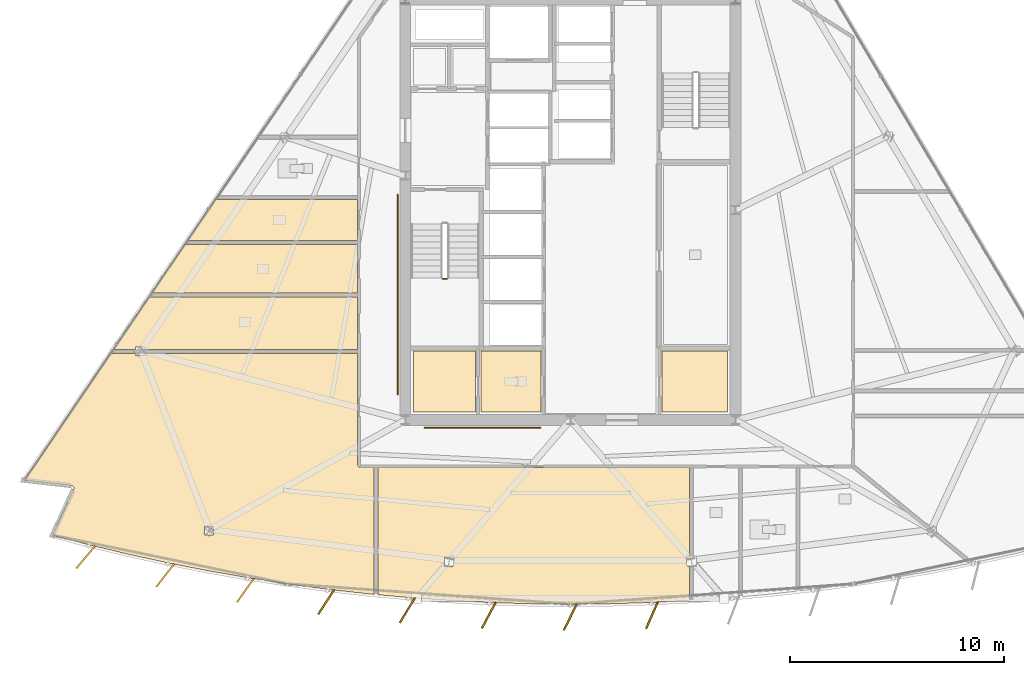
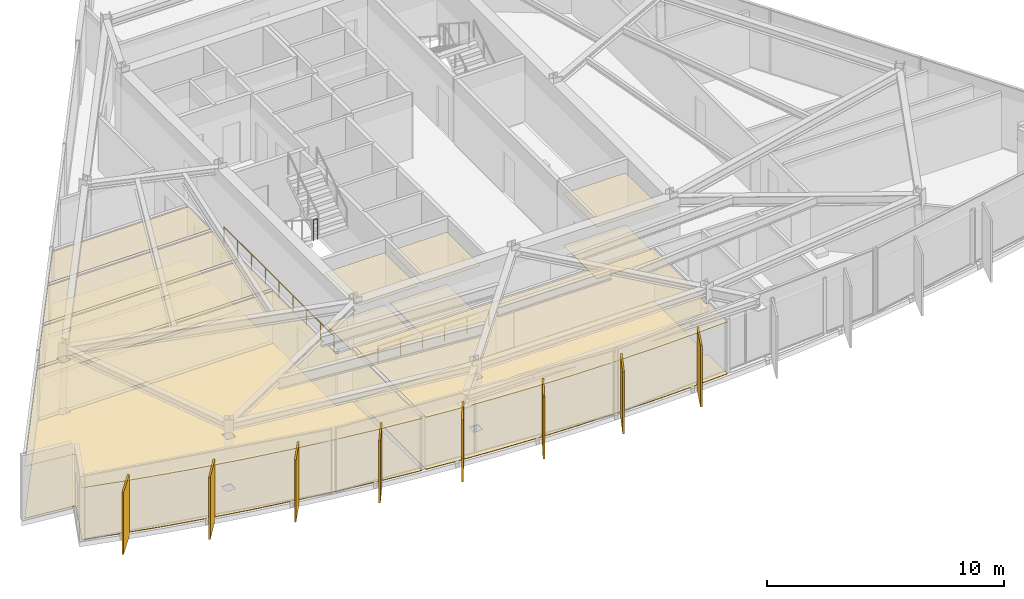
# One storey, part 11 of 15: 16 coverings, 8 shading devices, 3 railings.
"""IFC4 building model written with IfcOpenShell, lengths in metres."""

from ifc_helpers import new_model, si_unit, direction, frame, origin, origin_2d, place, context, subcontext, project, spatial, polyline, rectangle, circle, outline, extrude, material, layer, layer_set, type_object, element, save


model = new_model("IFC4")

# Units and contexts
model_context = context("Model", 3, precision=1e-05, world=origin(), true_north=direction((0.0, 1.0)))
body_context = subcontext(model_context, "Body", "Model", "MODEL_VIEW")
ifc_project = project(units=[si_unit("LENGTHUNIT", "METRE"), si_unit("AREAUNIT", "SQUARE_METRE"), si_unit("VOLUMEUNIT", "CUBIC_METRE"), si_unit("PLANEANGLEUNIT", "RADIAN"), si_unit("MASSUNIT", "GRAM", prefix="KILO")], contexts=[model_context])

# Site, building, storey
site_placement = place(None, origin())
site = spatial("IfcSite", under=ifc_project, at=site_placement, CompositionType="ELEMENT")
building_placement = place(site_placement, origin())
building = spatial("IfcBuilding", under=site, at=building_placement, Name="Savorim Split Tower", CompositionType="ELEMENT")
storey_placement = place(building_placement, frame((0.0, 0.0, 201.89990234375)))
storey = spatial("IfcBuildingStorey", under=building, at=storey_placement, Name="L53", CompositionType="ELEMENT", Elevation=201.89990234375)

# Coverings
ifc_material_1 = material(Name="Mineral Fibre Acoustic Ceiling")
ifc_layer_1 = layer(ifc_material_1, 0.02490234375)
ifc_layer_set_1 = layer_set([ifc_layer_1], Name="COV-CEIL-25")
covering_type_1 = type_object("IfcCoveringType", Name="COV-CEIL-25", PredefinedType="CEILING", material=ifc_layer_set_1)
covering_1_placement = place(storey_placement, frame((0.0, 0.0, 2.670166015625)))
element("IfcCovering", 1, at=covering_1_placement, inside=storey, type_object=covering_type_1, Name="L53 Housekeeping Store Acoustic Ceiling", PredefinedType="CEILING", context=body_context, shape_type="SweptSolid", body=[
    extrude(outline(polyline([(-7.320068359375, -6.179931640625), (-7.320068359375, -9.02001953125), (-4.429931640625, -9.02001953125), (-4.429931640625, -6.179931640625), (-7.320068359375, -6.179931640625)])), origin(), (0.0, 0.0, 1.0), 0.02490234375),
])
covering_2_placement = place(storey_placement, frame((0.0, 0.0, 2.670166015625)))
element("IfcCovering", 2, at=covering_2_placement, inside=storey, type_object=covering_type_1, Name="L53 Accessible WC Acoustic Ceiling", PredefinedType="CEILING", context=body_context, shape_type="SweptSolid", body=[
    extrude(outline(polyline([(-4.169921875, -6.179931640625), (-4.169921875, -9.02001953125), (-1.3798828125, -9.02001953125), (-1.3798828125, -6.179931640625), (-4.169921875, -6.179931640625)])), origin(), (0.0, 0.0, 1.0), 0.02490234375),
])
covering_3_placement = place(storey_placement, frame((0.0, 0.0, 2.670166015625)))
element("IfcCovering", 3, at=covering_3_placement, inside=storey, type_object=covering_type_1, Name="L53 Core IT Server Room Acoustic Ceiling", PredefinedType="CEILING", context=body_context, shape_type="SweptSolid", body=[
    extrude(outline(polyline([(4.280029296875, -6.179931640625), (4.280029296875, -9.02001953125), (7.320068359375, -9.02001953125), (7.320068359375, -6.179931640625), (4.280029296875, -6.179931640625)])), origin(), (0.0, 0.0, 1.0), 0.02490234375),
])
covering_4_placement = place(storey_placement, frame((0.0, 0.0, 2.670166015625)))
element("IfcCovering", 4, at=covering_4_placement, inside=storey, type_object=covering_type_1, Name="L53 Shared Kitchen Acoustic Ceiling", PredefinedType="CEILING", context=body_context, shape_type="SweptSolid", body=[
    extrude(outline(polyline([(-16.54296875, 0.885009765625), (-17.841064453125, -1.023193359375), (-9.919921875, -1.023193359375), (-9.919921875, 0.885009765625), (-16.54296875, 0.885009765625)])), origin(), (0.0, 0.0, 1.0), 0.02490234375),
])
covering_5_placement = place(storey_placement, frame((0.0, 0.0, 2.670166015625)))
element("IfcCovering", 5, at=covering_5_placement, inside=storey, type_object=covering_type_1, Name="L53 Community Laundry Room Acoustic Ceiling", PredefinedType="CEILING", context=body_context, shape_type="SweptSolid", body=[
    extrude(outline(polyline([(-17.97021484375, -1.213134765625), (-19.5087890625, -3.474609375), (-9.919921875, -3.474609375), (-9.919921875, -1.213134765625), (-17.97021484375, -1.213134765625)])), origin(), (0.0, 0.0, 1.0), 0.02490234375),
])
covering_6_placement = place(storey_placement, frame((0.0, 0.0, 2.670166015625)))
element("IfcCovering", 6, at=covering_6_placement, inside=storey, type_object=covering_type_1, Name="L53 Shared Kitchen Acoustic Ceiling", PredefinedType="CEILING", context=body_context, shape_type="SweptSolid", body=[
    extrude(outline(polyline([(-19.85888671875, -5.993408203125), (-19.85888671875, -6.101806640625), (-9.919921875, -6.101806640625), (-9.919921875, -3.664794921875), (-19.637939453125, -3.664794921875), (-21.2958984375, -6.101806640625), (-20.27685546875, -6.101806640625), (-20.27685546875, -5.993408203125), (-19.85888671875, -5.993408203125)])), origin(), (0.0, 0.0, 1.0), 0.02490234375),
])
covering_7_placement = place(storey_placement, frame((0.0, 0.0, 2.670166015625)))
element("IfcCovering", 7, at=covering_7_placement, inside=storey, type_object=covering_type_1, Name="L53 Maker Workshop Acoustic Ceiling", PredefinedType="CEILING", context=body_context, shape_type="SweptSolid", body=[
    extrude(outline(polyline([(-23.142822265625, -12.572998046875), (-23.143798828125, -12.5849609375), (-23.14599609375, -12.5966796875), (-23.149169921875, -12.608154296875), (-23.15380859375, -12.619384765625), (-24.1416015625, -14.769775390625), (-22.450439453125, -15.2119140625), (-20.61279296875, -15.652587890625), (-18.7666015625, -16.055419921875), (-16.912353515625, -16.420654296875), (-15.051025390625, -16.74755859375), (-13.18359375, -17.03662109375), (-11.310302734375, -17.287109375), (-9.4326171875, -17.49951171875), (-9.156982421875, -17.52490234375), (-9.156982421875, -11.6201171875), (-9.780029296875, -11.6201171875), (-9.793701171875, -11.619384765625), (-9.807373046875, -11.6171875), (-9.820556640625, -11.614013671875), (-9.83349609375, -11.609375), (-9.845947265625, -11.603515625), (-9.85791015625, -11.596435546875), (-9.868896484375, -11.588134765625), (-9.87890625, -11.5791015625), (-9.88818359375, -11.56884765625), (-9.896484375, -11.557861328125), (-9.903564453125, -11.5458984375), (-9.9091796875, -11.53369140625), (-9.9140625, -11.5205078125), (-9.917236328125, -11.50732421875), (-9.919189453125, -11.49365234375), (-9.919921875, -11.47998046875), (-9.919921875, -6.291748046875), (-19.85888671875, -6.291748046875), (-19.85888671875, -6.400390625), (-20.27685546875, -6.400390625), (-20.27685546875, -6.291748046875), (-21.300048828125, -6.291748046875), (-21.39501953125, -6.291748046875), (-21.39501953125, -6.24755859375), (-25.447509765625, -12.20458984375), (-23.24951171875, -12.449951171875), (-23.237548828125, -12.451904296875), (-23.22607421875, -12.454833984375), (-23.21484375, -12.458984375), (-23.2041015625, -12.46435546875), (-23.194091796875, -12.470703125), (-23.184814453125, -12.47802734375), (-23.176025390625, -12.486328125), (-23.168212890625, -12.495361328125), (-23.161376953125, -12.5048828125), (-23.155517578125, -12.515380859375), (-23.150634765625, -12.5263671875), (-23.14697265625, -12.53759765625), (-23.144287109375, -12.54931640625), (-23.14306640625, -12.561279296875), (-23.142822265625, -12.572998046875)]), holes=[polyline([(-17.066162109375, -14.762939453125), (-16.648193359375, -14.762939453125), (-16.648193359375, -14.35595703125), (-17.066162109375, -14.35595703125), (-17.066162109375, -14.762939453125)])]), origin(), (0.0, 0.0, 1.0), 0.02490234375),
])
covering_8_placement = place(storey_placement, frame((0.0, 0.0, 2.670166015625)))
element("IfcCovering", 8, at=covering_8_placement, inside=storey, type_object=covering_type_1, Name="L53 Co-Working Commons Acoustic Ceiling", PredefinedType="CEILING", context=body_context, shape_type="SweptSolid", body=[
    extrude(outline(polyline([(5.440673828125, -15.794921875), (5.5546875, -15.794921875), (5.5546875, -11.6201171875), (-8.967041015625, -11.6201171875), (-8.967041015625, -17.54248046875), (-7.55078125, -17.673095703125), (-5.665771484375, -17.808349609375), (-3.778564453125, -17.905029296875), (-1.8896484375, -17.962890625), (0.0, -17.982421875), (1.8896484375, -17.962890625), (3.778564453125, -17.905029296875), (5.5546875, -17.814208984375), (5.5546875, -16.201904296875), (5.440673828125, -16.201904296875), (5.440673828125, -15.794921875)]), holes=[polyline([(-5.858642578125, -16.201904296875), (-5.440673828125, -16.201904296875), (-5.440673828125, -15.794921875), (-5.858642578125, -15.794921875), (-5.858642578125, -16.201904296875)])]), origin(), (0.0, 0.0, 1.0), 0.02490234375),
])
ifc_material_2 = material(Name="Porcelain Stoneware Flooring", Category="masonry")
ifc_layer_2 = layer(ifc_material_2, 0.02001953125)
ifc_layer_set_2 = layer_set([ifc_layer_2], Name="COV-FLOR-20")
covering_type_2 = type_object("IfcCoveringType", Name="COV-FLOR-20", PredefinedType="FLOORING", material=ifc_layer_set_2)
covering_9_placement = place(storey_placement, origin())
element("IfcCovering", 9, at=covering_9_placement, inside=storey, type_object=covering_type_2, Name="L53 Housekeeping Store Porcelain Flooring", PredefinedType="FLOORING", context=body_context, shape_type="SweptSolid", body=[
    extrude(outline(polyline([(-7.320068359375, -6.179931640625), (-7.320068359375, -9.02001953125), (-4.429931640625, -9.02001953125), (-4.429931640625, -6.179931640625), (-7.320068359375, -6.179931640625)])), origin(), (0.0, 0.0, 1.0), 0.02001953125),
])
covering_10_placement = place(storey_placement, origin())
element("IfcCovering", 10, at=covering_10_placement, inside=storey, type_object=covering_type_2, Name="L53 Accessible WC Porcelain Flooring", PredefinedType="FLOORING", context=body_context, shape_type="SweptSolid", body=[
    extrude(outline(polyline([(-4.169921875, -6.179931640625), (-4.169921875, -9.02001953125), (-1.3798828125, -9.02001953125), (-1.3798828125, -6.179931640625), (-4.169921875, -6.179931640625)])), origin(), (0.0, 0.0, 1.0), 0.02001953125),
])
covering_11_placement = place(storey_placement, origin())
element("IfcCovering", 11, at=covering_11_placement, inside=storey, type_object=covering_type_2, Name="L53 Core IT Server Room Porcelain Flooring", PredefinedType="FLOORING", context=body_context, shape_type="SweptSolid", body=[
    extrude(outline(polyline([(4.280029296875, -6.179931640625), (4.280029296875, -9.02001953125), (7.320068359375, -9.02001953125), (7.320068359375, -6.179931640625), (4.280029296875, -6.179931640625)])), origin(), (0.0, 0.0, 1.0), 0.02001953125),
])
covering_12_placement = place(storey_placement, origin())
element("IfcCovering", 12, at=covering_12_placement, inside=storey, type_object=covering_type_2, Name="L53 Shared Kitchen Porcelain Flooring", PredefinedType="FLOORING", context=body_context, shape_type="SweptSolid", body=[
    extrude(outline(polyline([(-16.54296875, 0.885009765625), (-17.841064453125, -1.023193359375), (-9.919921875, -1.023193359375), (-9.919921875, 0.885009765625), (-16.54296875, 0.885009765625)])), origin(), (0.0, 0.0, 1.0), 0.02001953125),
])
covering_13_placement = place(storey_placement, origin())
element("IfcCovering", 13, at=covering_13_placement, inside=storey, type_object=covering_type_2, Name="L53 Community Laundry Room Porcelain Flooring", PredefinedType="FLOORING", context=body_context, shape_type="SweptSolid", body=[
    extrude(outline(polyline([(-17.97021484375, -1.213134765625), (-19.5087890625, -3.474609375), (-9.919921875, -3.474609375), (-9.919921875, -1.213134765625), (-17.97021484375, -1.213134765625)])), origin(), (0.0, 0.0, 1.0), 0.02001953125),
])
covering_14_placement = place(storey_placement, origin())
element("IfcCovering", 14, at=covering_14_placement, inside=storey, type_object=covering_type_2, Name="L53 Shared Kitchen Porcelain Flooring", PredefinedType="FLOORING", context=body_context, shape_type="SweptSolid", body=[
    extrude(outline(polyline([(-19.85888671875, -5.993408203125), (-19.85888671875, -6.101806640625), (-9.919921875, -6.101806640625), (-9.919921875, -3.664794921875), (-19.637939453125, -3.664794921875), (-21.2958984375, -6.101806640625), (-20.27685546875, -6.101806640625), (-20.27685546875, -5.993408203125), (-19.85888671875, -5.993408203125)])), origin(), (0.0, 0.0, 1.0), 0.02001953125),
])
covering_15_placement = place(storey_placement, origin())
element("IfcCovering", 15, at=covering_15_placement, inside=storey, type_object=covering_type_2, Name="L53 Maker Workshop Porcelain Flooring", PredefinedType="FLOORING", context=body_context, shape_type="SweptSolid", body=[
    extrude(outline(polyline([(-23.142822265625, -12.572998046875), (-23.143798828125, -12.5849609375), (-23.14599609375, -12.5966796875), (-23.149169921875, -12.608154296875), (-23.15380859375, -12.619384765625), (-24.1416015625, -14.769775390625), (-22.450439453125, -15.2119140625), (-20.61279296875, -15.652587890625), (-18.7666015625, -16.055419921875), (-16.912353515625, -16.420654296875), (-15.051025390625, -16.74755859375), (-13.18359375, -17.03662109375), (-11.310302734375, -17.287109375), (-9.4326171875, -17.49951171875), (-9.156982421875, -17.52490234375), (-9.156982421875, -11.6201171875), (-9.780029296875, -11.6201171875), (-9.793701171875, -11.619384765625), (-9.807373046875, -11.6171875), (-9.820556640625, -11.614013671875), (-9.83349609375, -11.609375), (-9.845947265625, -11.603515625), (-9.85791015625, -11.596435546875), (-9.868896484375, -11.588134765625), (-9.87890625, -11.5791015625), (-9.88818359375, -11.56884765625), (-9.896484375, -11.557861328125), (-9.903564453125, -11.5458984375), (-9.9091796875, -11.53369140625), (-9.9140625, -11.5205078125), (-9.917236328125, -11.50732421875), (-9.919189453125, -11.49365234375), (-9.919921875, -11.47998046875), (-9.919921875, -6.291748046875), (-19.85888671875, -6.291748046875), (-19.85888671875, -6.400390625), (-20.27685546875, -6.400390625), (-20.27685546875, -6.291748046875), (-21.300048828125, -6.291748046875), (-21.39501953125, -6.291748046875), (-21.39501953125, -6.24755859375), (-25.447509765625, -12.20458984375), (-23.24951171875, -12.449951171875), (-23.237548828125, -12.451904296875), (-23.22607421875, -12.454833984375), (-23.21484375, -12.458984375), (-23.2041015625, -12.46435546875), (-23.194091796875, -12.470703125), (-23.184814453125, -12.47802734375), (-23.176025390625, -12.486328125), (-23.168212890625, -12.495361328125), (-23.161376953125, -12.5048828125), (-23.155517578125, -12.515380859375), (-23.150634765625, -12.5263671875), (-23.14697265625, -12.53759765625), (-23.144287109375, -12.54931640625), (-23.14306640625, -12.561279296875), (-23.142822265625, -12.572998046875)]), holes=[polyline([(-17.066162109375, -14.762939453125), (-16.648193359375, -14.762939453125), (-16.648193359375, -14.35595703125), (-17.066162109375, -14.35595703125), (-17.066162109375, -14.762939453125)])]), origin(), (0.0, 0.0, 1.0), 0.02001953125),
])
covering_16_placement = place(storey_placement, origin())
element("IfcCovering", 16, at=covering_16_placement, inside=storey, type_object=covering_type_2, Name="L53 Co-Working Commons Porcelain Flooring", PredefinedType="FLOORING", context=body_context, shape_type="SweptSolid", body=[
    extrude(outline(polyline([(5.440673828125, -15.794921875), (5.5546875, -15.794921875), (5.5546875, -11.6201171875), (-8.967041015625, -11.6201171875), (-8.967041015625, -17.54248046875), (-7.55078125, -17.673095703125), (-5.665771484375, -17.808349609375), (-3.778564453125, -17.905029296875), (-1.8896484375, -17.962890625), (0.0, -17.982421875), (1.8896484375, -17.962890625), (3.778564453125, -17.905029296875), (5.5546875, -17.814208984375), (5.5546875, -16.201904296875), (5.440673828125, -16.201904296875), (5.440673828125, -15.794921875)]), holes=[polyline([(-5.858642578125, -16.201904296875), (-5.440673828125, -16.201904296875), (-5.440673828125, -15.794921875), (-5.858642578125, -15.794921875), (-5.858642578125, -16.201904296875)])]), origin(), (0.0, 0.0, 1.0), 0.02001953125),
])

# Railings
ifc_material_3 = material(Name="Galvanised Painted Steel Balustrade", Category="steel")
railing_type_1 = type_object("IfcRailingType", Name="RLG-HR-900", PredefinedType="HANDRAIL", material=ifc_material_3)
railing_1_placement = place(storey_placement, frame((-6.800048828125, -9.75, 0.0)))
element("IfcRailing", 17, at=railing_1_placement, inside=storey, type_object=railing_type_1, Name="L53 Corridor South Accessible Handrail", PredefinedType="HANDRAIL", context=body_context, shape_type="SweptSolid", body=[
    extrude(circle(Radius=0.02392578125, at=origin_2d()), frame((0.0, 0.0, 0.8759765625), z_axis=(1.0, 0.0, 0.0), x_axis=(0.0, 1.0, 0.0)), (0.0, 0.0, 1.0), 5.400146484375),
    extrude(circle(Radius=0.02099609375, at=origin_2d()), origin(), (0.0, 0.0, 1.0), 0.851806640625),
    extrude(circle(Radius=0.02099609375, at=origin_2d()), frame((1.080078125, 0.0, 0.0)), (0.0, 0.0, 1.0), 0.851806640625),
    extrude(circle(Radius=0.02099609375, at=origin_2d()), frame((2.16015625, 0.0, 0.0)), (0.0, 0.0, 1.0), 0.851806640625),
    extrude(circle(Radius=0.02099609375, at=origin_2d()), frame((3.239990234375, 0.0, 0.0)), (0.0, 0.0, 1.0), 0.851806640625),
    extrude(circle(Radius=0.02099609375, at=origin_2d()), frame((4.320068359375, 0.0, 0.0)), (0.0, 0.0, 1.0), 0.851806640625),
    extrude(circle(Radius=0.02099609375, at=origin_2d()), frame((5.400146484375, 0.0, 0.0)), (0.0, 0.0, 1.0), 0.851806640625),
])
railing_2_placement = place(storey_placement, frame((-8.050048828125, -8.199951171875, 0.0)))
element("IfcRailing", 18, at=railing_2_placement, inside=storey, type_object=railing_type_1, Name="L53 Corridor West Accessible Handrail", PredefinedType="HANDRAIL", context=body_context, shape_type="SweptSolid", body=[
    extrude(circle(Radius=0.02392578125, at=origin_2d()), frame((0.0, 0.0, 0.8759765625), z_axis=(0.0, 1.0, 0.0), x_axis=(-1.0, 0.0, 0.0)), (0.0, 0.0, 1.0), 9.300048828125),
    extrude(circle(Radius=0.02099609375, at=origin_2d()), origin(), (0.0, 0.0, 1.0), 0.851806640625),
    extrude(circle(Radius=0.02099609375, at=origin_2d()), frame((0.0, 1.16259765625, 0.0)), (0.0, 0.0, 1.0), 0.851806640625),
    extrude(circle(Radius=0.02099609375, at=origin_2d()), frame((0.0, 2.324951171875, 0.0)), (0.0, 0.0, 1.0), 0.851806640625),
    extrude(circle(Radius=0.02099609375, at=origin_2d()), frame((0.0, 3.487548828125, 0.0)), (0.0, 0.0, 1.0), 0.851806640625),
    extrude(circle(Radius=0.02099609375, at=origin_2d()), frame((0.0, 4.64990234375, 0.0)), (0.0, 0.0, 1.0), 0.851806640625),
    extrude(circle(Radius=0.02099609375, at=origin_2d()), frame((0.0, 5.8125, 0.0)), (0.0, 0.0, 1.0), 0.851806640625),
    extrude(circle(Radius=0.02099609375, at=origin_2d()), frame((0.0, 6.97509765625, 0.0)), (0.0, 0.0, 1.0), 0.851806640625),
    extrude(circle(Radius=0.02099609375, at=origin_2d()), frame((0.0, 8.137451171875, 0.0)), (0.0, 0.0, 1.0), 0.851806640625),
    extrude(circle(Radius=0.02099609375, at=origin_2d()), frame((0.0, 9.300048828125, 0.0)), (0.0, 0.0, 1.0), 0.851806640625),
])
railing_type_2 = type_object("IfcRailingType", Name="RLG-STG-1100", PredefinedType="BALUSTRADE", material=ifc_material_3)
railing_3_placement = place(storey_placement, frame((-5.949951171875, -2.820068359375, 1.800048828125)))
element("IfcRailing", 19, at=railing_3_placement, inside=storey, type_object=railing_type_2, Name="L53 ST-1 stair guard 2", PredefinedType="BALUSTRADE", context=body_context, shape_type="SweptSolid", body=[
    extrude(circle(Radius=0.02392578125, at=origin_2d()), frame((0.0, 0.0, 1.076171875), z_axis=(1.0, 0.0, 0.0), x_axis=(0.0, 1.0, 0.0)), (0.0, 0.0, 1.0), 0.199951171875),
    extrude(circle(Radius=0.02099609375, at=origin_2d()), origin(), (0.0, 0.0, 1.0), 1.052001953125),
    extrude(circle(Radius=0.02099609375, at=origin_2d()), frame((0.199951171875, 0.0, 0.0)), (0.0, 0.0, 1.0), 1.052001953125),
])

# Shading devices
ifc_material_4 = material(Name="Terracotta Ceramic-Coated Aluminium Fin", Category="masonry")
shading_device_type = type_object("IfcShadingDeviceType", Name="SHD-FIN-1360", PredefinedType="USERDEFINED", material=ifc_material_4)
for number, where, z_axis, x_axis, name in (
    (20, (-22.595458984375, -15.7900390625, -0.19970703125), (0.0, 0.0, 1.0), (-0.643719022682, -0.765261928909, 0.0), "L53 Sawtooth Shading Fin 01"),
    (21, (-18.8876953125, -16.63916015625, -0.19970703125), (0.0, 0.0, 1.0), (-0.611868076908, -0.790959832394, 0.0), "L53 Sawtooth Shading Fin 02"),
    (22, (-15.148193359375, -17.335693359375, -0.19970703125), (0.0, 0.0, 1.0), (-0.578993757737, -0.815331974414, 0.0), "L53 Sawtooth Shading Fin 03"),
    (23, (-11.38330078125, -17.878662109375, -0.19970703125), (0.0, 0.0, 1.0), (-0.545148321708, -0.838339613366, 0.0), "L53 Sawtooth Shading Fin 04"),
    (24, (-7.599609375, -18.26708984375, -0.19970703125), (0.0, 0.0, 1.0), (-0.510391336723, -0.859942255851, 0.0), "L53 Sawtooth Shading Fin 05"),
    (25, (-3.802978515625, -18.50048828125, -0.19970703125), (0.0, 0.0, 1.0), (-0.474778051978, -0.880105562623, 0.0), "L53 Sawtooth Shading Fin 06"),
    (26, (0.0, -18.578369140625, -0.19970703125), (0.0, 0.0, 1.0), (-0.438371146789, -0.898794046299, 0.0), "L53 Sawtooth Shading Fin 07"),
    (27, (3.802978515625, -18.50048828125, -0.19970703125), (0.0, 0.0, 1.0), (-0.401230091723, -0.915977299662, 0.0), "L53 Sawtooth Shading Fin 08"),
):
    element("IfcShadingDevice", number, at=place(storey_placement, frame(where, z_axis=z_axis, x_axis=x_axis)), inside=storey, type_object=shading_device_type, Name=name, ObjectType="FIN", PredefinedType="USERDEFINED", context=body_context, shape_type="SweptSolid", body=[
        extrude(rectangle(XDim=1.360107421875, YDim=0.080078125, at=origin_2d()), origin(), (0.0, 0.0, 1.0), 3.199951171875),
    ])

save(model, "model.ifc")
